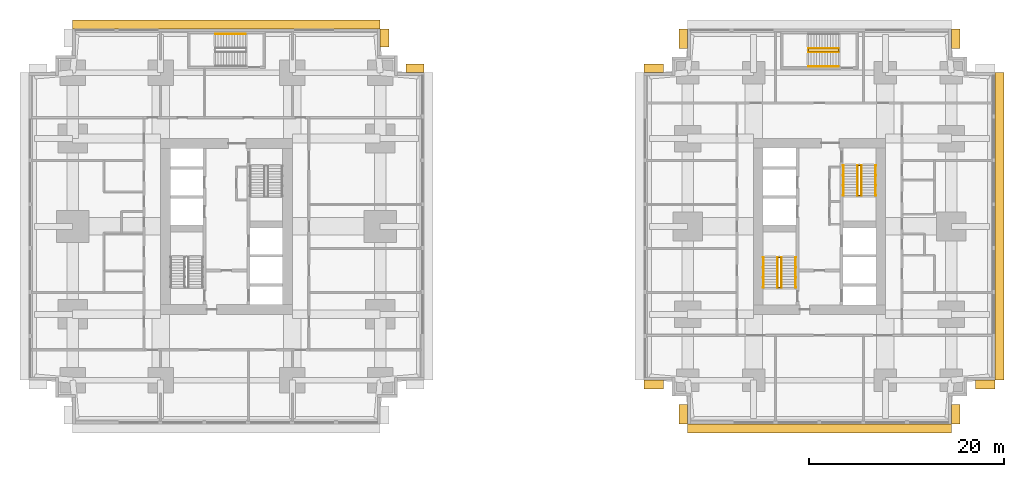
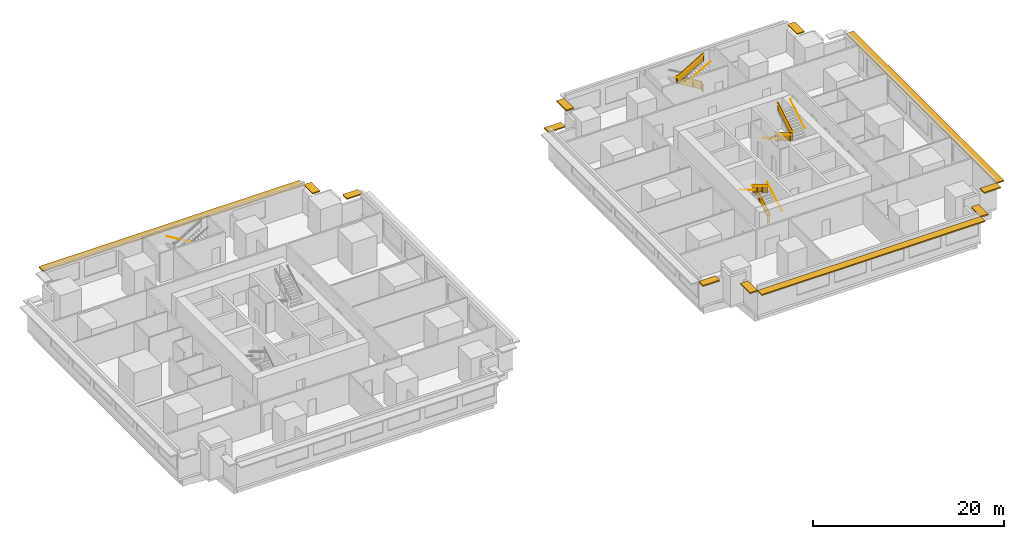
# One storey, part 10 of 11: 15 railings, 12 shading devices.
"""IFC4 building model written with IfcOpenShell, lengths in metres."""

from ifc_helpers import new_model, si_unit, direction, frame, origin, origin_2d, place, context, subcontext, project, spatial, polyline, rectangle, circle, outline, extrude, material, layer, layer_set, type_object, element, save


model = new_model("IFC4")

# Units and contexts
model_context = context("Model", 3, precision=1e-05, world=origin(), true_north=direction((0.0, 1.0)))
body_context = subcontext(model_context, "Body", "Model", "MODEL_VIEW")
ifc_project = project(units=[si_unit("LENGTHUNIT", "METRE"), si_unit("AREAUNIT", "SQUARE_METRE"), si_unit("VOLUMEUNIT", "CUBIC_METRE"), si_unit("PLANEANGLEUNIT", "RADIAN"), si_unit("MASSUNIT", "GRAM", prefix="KILO")], contexts=[model_context])

# Site, building, storey
site_placement = place(None, origin())
site = spatial("IfcSite", under=ifc_project, at=site_placement, CompositionType="ELEMENT")
building_placement = place(site_placement, origin())
building = spatial("IfcBuilding", under=site, at=building_placement, Name="Namib Vertical Campus", CompositionType="ELEMENT")
storey_placement = place(building_placement, frame((0.0, 0.0, 29.0)))
storey = spatial("IfcBuildingStorey", under=building, at=storey_placement, Name="L06", CompositionType="ELEMENT", Elevation=29.0)

# Railings
ifc_material_1 = material(Name="Steel handrail", Category="steel")
railing_type_1 = type_object("IfcRailingType", Name="Handrail 900", PredefinedType="HANDRAIL", material=ifc_material_1)
railing_1_placement = place(storey_placement, frame((78.550048828125, 14.0, 0.166748046875)))
element("IfcRailing", 1, at=railing_1_placement, inside=storey, type_object=railing_type_1, Name="Handrail HR1 B-S1 L06 1", PredefinedType="HANDRAIL", context=body_context, shape_type="SweptSolid", body=[
    extrude(circle(Radius=0.02392578125, at=origin_2d()), frame((0.0, 0.0, 0.8759765625), z_axis=(0.0, 0.859308565015, 0.511457515432), x_axis=(-1.0, 0.0, 0.0)), (0.0, 0.0, 1.0), 3.58447265625),
    extrude(circle(Radius=0.008056640625, at=origin_2d()), frame((0.0, 0.0, 0.8759765625), z_axis=(1.0, 0.0, 0.0), x_axis=(0.0, 0.0, 1.0)), (0.0, 0.0, 1.0), 0.050048828125),
    extrude(circle(Radius=0.008056640625, at=origin_2d()), frame((0.0, 1.026611328125, 1.48681640625), z_axis=(1.0, 0.0, 0.0), x_axis=(0.0, 0.0, 1.0)), (0.0, 0.0, 1.0), 0.050048828125),
    extrude(circle(Radius=0.008056640625, at=origin_2d()), frame((0.0, 2.053466796875, 2.09814453125), z_axis=(1.0, 0.0, 0.0), x_axis=(0.0, 0.0, 1.0)), (0.0, 0.0, 1.0), 0.050048828125),
    extrude(circle(Radius=0.008056640625, at=origin_2d()), frame((0.0, 3.080078125, 2.708984375), z_axis=(1.0, 0.0, 0.0), x_axis=(0.0, 0.0, 1.0)), (0.0, 0.0, 1.0), 0.050048828125),
])
railing_2_placement = place(storey_placement, frame((75.25, 17.080078125, 2.166748046875)))
element("IfcRailing", 2, at=railing_2_placement, inside=storey, type_object=railing_type_1, Name="Handrail HR1 B-S1 L06 2", PredefinedType="HANDRAIL", context=body_context, shape_type="SweptSolid", body=[
    extrude(circle(Radius=0.02392578125, at=origin_2d()), frame((0.0, 0.0, 0.8759765625), z_axis=(0.0, -0.859308565015, 0.511457515432), x_axis=(1.0, 0.0, 0.0)), (0.0, 0.0, 1.0), 3.58447265625),
    extrude(circle(Radius=0.008056640625, at=origin_2d()), frame((0.0, 0.0, 0.8759765625), z_axis=(-1.0, 0.0, 0.0), x_axis=(0.0, 0.0, 1.0)), (0.0, 0.0, 1.0), 0.050048828125),
    extrude(circle(Radius=0.008056640625, at=origin_2d()), frame((0.0, -1.026611328125, 1.48681640625), z_axis=(-1.0, 0.0, 0.0), x_axis=(0.0, 0.0, 1.0)), (0.0, 0.0, 1.0), 0.050048828125),
    extrude(circle(Radius=0.008056640625, at=origin_2d()), frame((0.0, -2.053466796875, 2.09814453125), z_axis=(-1.0, 0.0, 0.0), x_axis=(0.0, 0.0, 1.0)), (0.0, 0.0, 1.0), 0.050048828125),
    extrude(circle(Radius=0.008056640625, at=origin_2d()), frame((0.0, -3.080078125, 2.708984375), z_axis=(-1.0, 0.0, 0.0), x_axis=(0.0, 0.0, 1.0)), (0.0, 0.0, 1.0), 0.050048828125),
])
railing_3_placement = place(storey_placement, frame((77.10009765625, 14.0, 0.166748046875)))
element("IfcRailing", 3, at=railing_3_placement, inside=storey, type_object=railing_type_1, Name="Handrail HR1 B-S1 L06 1 at the well", PredefinedType="HANDRAIL", context=body_context, shape_type="SweptSolid", body=[
    extrude(circle(Radius=0.02392578125, at=origin_2d()), frame((0.0, 0.0, 0.8759765625), z_axis=(0.0, 0.859308565015, 0.511457515432), x_axis=(-1.0, 0.0, 0.0)), (0.0, 0.0, 1.0), 3.58447265625),
    extrude(circle(Radius=0.008056640625, at=origin_2d()), frame((0.0, 0.0, 0.8759765625), z_axis=(-1.0, 0.0, 0.0), x_axis=(0.0, 0.0, 1.0)), (0.0, 0.0, 1.0), 0.0400390625),
    extrude(circle(Radius=0.008056640625, at=origin_2d()), frame((0.0, 1.026611328125, 1.48681640625), z_axis=(-1.0, 0.0, 0.0), x_axis=(0.0, 0.0, 1.0)), (0.0, 0.0, 1.0), 0.0400390625),
    extrude(circle(Radius=0.008056640625, at=origin_2d()), frame((0.0, 2.053466796875, 2.09814453125), z_axis=(-1.0, 0.0, 0.0), x_axis=(0.0, 0.0, 1.0)), (0.0, 0.0, 1.0), 0.0400390625),
    extrude(circle(Radius=0.008056640625, at=origin_2d()), frame((0.0, 3.080078125, 2.708984375), z_axis=(-1.0, 0.0, 0.0), x_axis=(0.0, 0.0, 1.0)), (0.0, 0.0, 1.0), 0.0400390625),
])
railing_4_placement = place(storey_placement, frame((76.699951171875, 17.080078125, 2.166748046875)))
element("IfcRailing", 4, at=railing_4_placement, inside=storey, type_object=railing_type_1, Name="Handrail HR1 B-S1 L06 2 at the well", PredefinedType="HANDRAIL", context=body_context, shape_type="SweptSolid", body=[
    extrude(circle(Radius=0.02392578125, at=origin_2d()), frame((0.0, 0.0, 0.8759765625), z_axis=(0.0, -0.859308565015, 0.511457515432), x_axis=(1.0, 0.0, 0.0)), (0.0, 0.0, 1.0), 3.58447265625),
    extrude(circle(Radius=0.008056640625, at=origin_2d()), frame((0.0, 0.0, 0.8759765625), z_axis=(1.0, 0.0, 0.0), x_axis=(0.0, 0.0, 1.0)), (0.0, 0.0, 1.0), 0.0400390625),
    extrude(circle(Radius=0.008056640625, at=origin_2d()), frame((0.0, -1.026611328125, 1.48681640625), z_axis=(1.0, 0.0, 0.0), x_axis=(0.0, 0.0, 1.0)), (0.0, 0.0, 1.0), 0.0400390625),
    extrude(circle(Radius=0.008056640625, at=origin_2d()), frame((0.0, -2.053466796875, 2.09814453125), z_axis=(1.0, 0.0, 0.0), x_axis=(0.0, 0.0, 1.0)), (0.0, 0.0, 1.0), 0.0400390625),
    extrude(circle(Radius=0.008056640625, at=origin_2d()), frame((0.0, -3.080078125, 2.708984375), z_axis=(1.0, 0.0, 0.0), x_axis=(0.0, 0.0, 1.0)), (0.0, 0.0, 1.0), 0.0400390625),
])
railing_5_placement = place(storey_placement, frame((83.449951171875, 26.5, 0.166748046875)))
element("IfcRailing", 5, at=railing_5_placement, inside=storey, type_object=railing_type_1, Name="Handrail HR1 B-S2 L06 1", PredefinedType="HANDRAIL", context=body_context, shape_type="SweptSolid", body=[
    extrude(circle(Radius=0.02392578125, at=origin_2d()), frame((0.0, 0.0, 0.8759765625), z_axis=(0.0, -0.859308565015, 0.511457515432), x_axis=(1.0, 0.0, 0.0)), (0.0, 0.0, 1.0), 3.58447265625),
    extrude(circle(Radius=0.008056640625, at=origin_2d()), frame((0.0, 0.0, 0.8759765625), z_axis=(-1.0, 0.0, 0.0), x_axis=(0.0, 0.0, 1.0)), (0.0, 0.0, 1.0), 0.050048828125),
    extrude(circle(Radius=0.008056640625, at=origin_2d()), frame((0.0, -1.026611328125, 1.48681640625), z_axis=(-1.0, 0.0, 0.0), x_axis=(0.0, 0.0, 1.0)), (0.0, 0.0, 1.0), 0.050048828125),
    extrude(circle(Radius=0.008056640625, at=origin_2d()), frame((0.0, -2.053466796875, 2.09814453125), z_axis=(-1.0, 0.0, 0.0), x_axis=(0.0, 0.0, 1.0)), (0.0, 0.0, 1.0), 0.050048828125),
    extrude(circle(Radius=0.008056640625, at=origin_2d()), frame((0.0, -3.080078125, 2.708984375), z_axis=(-1.0, 0.0, 0.0), x_axis=(0.0, 0.0, 1.0)), (0.0, 0.0, 1.0), 0.050048828125),
])
railing_6_placement = place(storey_placement, frame((86.75, 23.419921875, 2.166748046875)))
element("IfcRailing", 6, at=railing_6_placement, inside=storey, type_object=railing_type_1, Name="Handrail HR1 B-S2 L06 2", PredefinedType="HANDRAIL", context=body_context, shape_type="SweptSolid", body=[
    extrude(circle(Radius=0.02392578125, at=origin_2d()), frame((0.0, 0.0, 0.8759765625), z_axis=(0.0, 0.859308565015, 0.511457515432), x_axis=(-1.0, 0.0, 0.0)), (0.0, 0.0, 1.0), 3.58447265625),
    extrude(circle(Radius=0.008056640625, at=origin_2d()), frame((0.0, 0.0, 0.8759765625), z_axis=(1.0, 0.0, 0.0), x_axis=(0.0, 0.0, 1.0)), (0.0, 0.0, 1.0), 0.050048828125),
    extrude(circle(Radius=0.008056640625, at=origin_2d()), frame((0.0, 1.026611328125, 1.48681640625), z_axis=(1.0, 0.0, 0.0), x_axis=(0.0, 0.0, 1.0)), (0.0, 0.0, 1.0), 0.050048828125),
    extrude(circle(Radius=0.008056640625, at=origin_2d()), frame((0.0, 2.053466796875, 2.09814453125), z_axis=(1.0, 0.0, 0.0), x_axis=(0.0, 0.0, 1.0)), (0.0, 0.0, 1.0), 0.050048828125),
    extrude(circle(Radius=0.008056640625, at=origin_2d()), frame((0.0, 3.080078125, 2.708984375), z_axis=(1.0, 0.0, 0.0), x_axis=(0.0, 0.0, 1.0)), (0.0, 0.0, 1.0), 0.050048828125),
])
railing_7_placement = place(storey_placement, frame((84.89990234375, 26.5, 0.166748046875)))
element("IfcRailing", 7, at=railing_7_placement, inside=storey, type_object=railing_type_1, Name="Handrail HR1 B-S2 L06 1 at the well", PredefinedType="HANDRAIL", context=body_context, shape_type="SweptSolid", body=[
    extrude(circle(Radius=0.02392578125, at=origin_2d()), frame((0.0, 0.0, 0.8759765625), z_axis=(0.0, -0.859308565015, 0.511457515432), x_axis=(1.0, 0.0, 0.0)), (0.0, 0.0, 1.0), 3.58447265625),
    extrude(circle(Radius=0.008056640625, at=origin_2d()), frame((0.0, 0.0, 0.8759765625), z_axis=(1.0, 0.0, 0.0), x_axis=(0.0, 0.0, 1.0)), (0.0, 0.0, 1.0), 0.0400390625),
    extrude(circle(Radius=0.008056640625, at=origin_2d()), frame((0.0, -1.026611328125, 1.48681640625), z_axis=(1.0, 0.0, 0.0), x_axis=(0.0, 0.0, 1.0)), (0.0, 0.0, 1.0), 0.0400390625),
    extrude(circle(Radius=0.008056640625, at=origin_2d()), frame((0.0, -2.053466796875, 2.09814453125), z_axis=(1.0, 0.0, 0.0), x_axis=(0.0, 0.0, 1.0)), (0.0, 0.0, 1.0), 0.0400390625),
    extrude(circle(Radius=0.008056640625, at=origin_2d()), frame((0.0, -3.080078125, 2.708984375), z_axis=(1.0, 0.0, 0.0), x_axis=(0.0, 0.0, 1.0)), (0.0, 0.0, 1.0), 0.0400390625),
])
railing_8_placement = place(storey_placement, frame((85.300048828125, 23.419921875, 2.166748046875)))
element("IfcRailing", 8, at=railing_8_placement, inside=storey, type_object=railing_type_1, Name="Handrail HR1 B-S2 L06 2 at the well", PredefinedType="HANDRAIL", context=body_context, shape_type="SweptSolid", body=[
    extrude(circle(Radius=0.02392578125, at=origin_2d()), frame((0.0, 0.0, 0.8759765625), z_axis=(0.0, 0.859308565015, 0.511457515432), x_axis=(-1.0, 0.0, 0.0)), (0.0, 0.0, 1.0), 3.58447265625),
    extrude(circle(Radius=0.008056640625, at=origin_2d()), frame((0.0, 0.0, 0.8759765625), z_axis=(-1.0, 0.0, 0.0), x_axis=(0.0, 0.0, 1.0)), (0.0, 0.0, 1.0), 0.0400390625),
    extrude(circle(Radius=0.008056640625, at=origin_2d()), frame((0.0, 1.026611328125, 1.48681640625), z_axis=(-1.0, 0.0, 0.0), x_axis=(0.0, 0.0, 1.0)), (0.0, 0.0, 1.0), 0.0400390625),
    extrude(circle(Radius=0.008056640625, at=origin_2d()), frame((0.0, 2.053466796875, 2.09814453125), z_axis=(-1.0, 0.0, 0.0), x_axis=(0.0, 0.0, 1.0)), (0.0, 0.0, 1.0), 0.0400390625),
    extrude(circle(Radius=0.008056640625, at=origin_2d()), frame((0.0, 3.080078125, 2.708984375), z_axis=(-1.0, 0.0, 0.0), x_axis=(0.0, 0.0, 1.0)), (0.0, 0.0, 1.0), 0.0400390625),
])
railing_9_placement = place(storey_placement, frame((22.199951171875, 39.949951171875, 0.166748046875)))
element("IfcRailing", 9, at=railing_9_placement, inside=storey, type_object=railing_type_1, Name="Handrail HR1 A-S3 L06 1", PredefinedType="HANDRAIL", context=body_context, shape_type="SweptSolid", body=[
    extrude(circle(Radius=0.02392578125, at=origin_2d()), frame((0.0, 0.0, 0.8759765625), z_axis=(-0.859290745958, 0.0, 0.51148745235), x_axis=(0.0, -1.0, 0.0)), (0.0, 0.0, 1.0), 3.584228515625),
    extrude(circle(Radius=0.008056640625, at=origin_2d()), frame((0.0, 0.0, 0.8759765625), z_axis=(0.0, 1.0, 0.0), x_axis=(0.0, 0.0, 1.0)), (0.0, 0.0, 1.0), 0.050048828125),
    extrude(circle(Radius=0.008056640625, at=origin_2d()), frame((-1.026611328125, 0.0, 1.48681640625), z_axis=(0.0, 1.0, 0.0), x_axis=(0.0, 0.0, 1.0)), (0.0, 0.0, 1.0), 0.050048828125),
    extrude(circle(Radius=0.008056640625, at=origin_2d()), frame((-2.05322265625, 0.0, 2.09814453125), z_axis=(0.0, 1.0, 0.0), x_axis=(0.0, 0.0, 1.0)), (0.0, 0.0, 1.0), 0.050048828125),
    extrude(circle(Radius=0.008056640625, at=origin_2d()), frame((-3.079833984375, 0.0, 2.708984375), z_axis=(0.0, 1.0, 0.0), x_axis=(0.0, 0.0, 1.0)), (0.0, 0.0, 1.0), 0.050048828125),
])
railing_10_placement = place(storey_placement, frame((79.8701171875, 36.64990234375, 2.166748046875)))
element("IfcRailing", 10, at=railing_10_placement, inside=storey, type_object=railing_type_1, Name="Handrail HR1 B-S3 L06 2", PredefinedType="HANDRAIL", context=body_context, shape_type="SweptSolid", body=[
    extrude(circle(Radius=0.02392578125, at=origin_2d()), frame((0.0, 0.0, 0.8759765625), z_axis=(0.859290745958, 0.0, 0.51148745235), x_axis=(0.0, 1.0, 0.0)), (0.0, 0.0, 1.0), 3.584228515625),
    extrude(circle(Radius=0.008056640625, at=origin_2d()), frame((0.0, 0.0, 0.8759765625), z_axis=(0.0, -1.0, 0.0), x_axis=(0.0, 0.0, 1.0)), (0.0, 0.0, 1.0), 0.050048828125),
    extrude(circle(Radius=0.008056640625, at=origin_2d()), frame((1.026611328125, 0.0, 1.48681640625), z_axis=(0.0, -1.0, 0.0), x_axis=(0.0, 0.0, 1.0)), (0.0, 0.0, 1.0), 0.050048828125),
    extrude(circle(Radius=0.008056640625, at=origin_2d()), frame((2.05322265625, 0.0, 2.09814453125), z_axis=(0.0, -1.0, 0.0), x_axis=(0.0, 0.0, 1.0)), (0.0, 0.0, 1.0), 0.050048828125),
    extrude(circle(Radius=0.008056640625, at=origin_2d()), frame((3.079833984375, 0.0, 2.708984375), z_axis=(0.0, -1.0, 0.0), x_axis=(0.0, 0.0, 1.0)), (0.0, 0.0, 1.0), 0.050048828125),
])
railing_11_placement = place(storey_placement, frame((82.949951171875, 38.5, 0.166748046875)))
element("IfcRailing", 11, at=railing_11_placement, inside=storey, type_object=railing_type_1, Name="Handrail HR1 B-S3 L06 1 at the well", PredefinedType="HANDRAIL", context=body_context, shape_type="SweptSolid", body=[
    extrude(circle(Radius=0.02392578125, at=origin_2d()), frame((0.0, 0.0, 0.8759765625), z_axis=(-0.859290745958, 0.0, 0.51148745235), x_axis=(0.0, -1.0, 0.0)), (0.0, 0.0, 1.0), 3.584228515625),
    extrude(circle(Radius=0.008056640625, at=origin_2d()), frame((0.0, 0.0, 0.8759765625), z_axis=(0.0, -1.0, 0.0), x_axis=(0.0, 0.0, 1.0)), (0.0, 0.0, 1.0), 0.0400390625),
    extrude(circle(Radius=0.008056640625, at=origin_2d()), frame((-1.026611328125, 0.0, 1.48681640625), z_axis=(0.0, -1.0, 0.0), x_axis=(0.0, 0.0, 1.0)), (0.0, 0.0, 1.0), 0.0400390625),
    extrude(circle(Radius=0.008056640625, at=origin_2d()), frame((-2.05322265625, 0.0, 2.09814453125), z_axis=(0.0, -1.0, 0.0), x_axis=(0.0, 0.0, 1.0)), (0.0, 0.0, 1.0), 0.0400390625),
    extrude(circle(Radius=0.008056640625, at=origin_2d()), frame((-3.079833984375, 0.0, 2.708984375), z_axis=(0.0, -1.0, 0.0), x_axis=(0.0, 0.0, 1.0)), (0.0, 0.0, 1.0), 0.0400390625),
])
railing_12_placement = place(storey_placement, frame((79.8701171875, 38.10009765625, 2.166748046875)))
element("IfcRailing", 12, at=railing_12_placement, inside=storey, type_object=railing_type_1, Name="Handrail HR1 B-S3 L06 2 at the well", PredefinedType="HANDRAIL", context=body_context, shape_type="SweptSolid", body=[
    extrude(circle(Radius=0.02392578125, at=origin_2d()), frame((0.0, 0.0, 0.8759765625), z_axis=(0.859290745958, 0.0, 0.51148745235), x_axis=(0.0, 1.0, 0.0)), (0.0, 0.0, 1.0), 3.584228515625),
    extrude(circle(Radius=0.008056640625, at=origin_2d()), frame((0.0, 0.0, 0.8759765625), z_axis=(0.0, 1.0, 0.0), x_axis=(0.0, 0.0, 1.0)), (0.0, 0.0, 1.0), 0.0400390625),
    extrude(circle(Radius=0.008056640625, at=origin_2d()), frame((1.026611328125, 0.0, 1.48681640625), z_axis=(0.0, 1.0, 0.0), x_axis=(0.0, 0.0, 1.0)), (0.0, 0.0, 1.0), 0.0400390625),
    extrude(circle(Radius=0.008056640625, at=origin_2d()), frame((2.05322265625, 0.0, 2.09814453125), z_axis=(0.0, 1.0, 0.0), x_axis=(0.0, 0.0, 1.0)), (0.0, 0.0, 1.0), 0.0400390625),
    extrude(circle(Radius=0.008056640625, at=origin_2d()), frame((3.079833984375, 0.0, 2.708984375), z_axis=(0.0, 1.0, 0.0), x_axis=(0.0, 0.0, 1.0)), (0.0, 0.0, 1.0), 0.0400390625),
])
ifc_material_2 = material(Name="Steel balustrade", Category="steel")
railing_type_2 = type_object("IfcRailingType", Name="Stair guard 1100", PredefinedType="GUARDRAIL", material=ifc_material_2)
railing_13_placement = place(storey_placement, frame((76.75, 14.0, 0.0)))
element("IfcRailing", 13, at=railing_13_placement, inside=storey, type_object=railing_type_2, Name="Stair guard GR1 B-S1 L06", PredefinedType="GUARDRAIL", context=body_context, shape_type="SweptSolid", body=[
    extrude(circle(Radius=0.02392578125, at=origin_2d()), frame((0.0, 0.0, 1.076171875), z_axis=(1.0, 0.0, 0.0), x_axis=(0.0, 1.0, 0.0)), (0.0, 0.0, 1.0), 0.300048828125),
    extrude(outline(polyline([(0.02099609375, 0.050048828125), (0.279052734375, 0.050048828125), (0.279052734375, 1.052001953125), (0.02099609375, 1.052001953125), (0.02099609375, 0.050048828125)])), frame((0.0, 0.010009765625, 0.0), z_axis=(0.0, -1.0, 0.0), x_axis=(1.0, 0.0, 0.0)), (0.0, 0.0, 1.0), 0.02001953125),
    extrude(circle(Radius=0.02392578125, at=origin_2d()), frame((0.300048828125, 0.0, 1.076171875), z_axis=(0.0, 0.0, 1.0), x_axis=(1.0, 0.0, 0.0)), (0.0, 0.0, 1.0), 0.166748046875),
    extrude(circle(Radius=0.02392578125, at=origin_2d()), frame((0.300048828125, 0.0, 1.24267578125), z_axis=(0.0, 0.859308565015, 0.511457515432), x_axis=(-1.0, 0.0, 0.0)), (0.0, 0.0, 1.0), 3.58447265625),
    extrude(outline(polyline([(0.02099609375, 0.0625), (3.05908203125, 1.870849609375), (3.05908203125, 2.872802734375), (0.02099609375, 1.064453125), (0.02099609375, 0.0625)])), frame((0.2900390625, 0.0, 0.166748046875), z_axis=(1.0, 0.0, 0.0), x_axis=(0.0, 1.0, 0.0)), (0.0, 0.0, 1.0), 0.02001953125),
    extrude(circle(Radius=0.02392578125, at=origin_2d()), frame((0.300048828125, 3.080078125, 3.076171875), z_axis=(-1.0, 0.0, 0.0), x_axis=(0.0, -1.0, 0.0)), (0.0, 0.0, 1.0), 0.300048828125),
    extrude(outline(polyline([(0.02099609375, 0.050048828125), (0.279052734375, 0.050048828125), (0.279052734375, 1.052001953125), (0.02099609375, 1.052001953125), (0.02099609375, 0.050048828125)])), frame((0.300048828125, 3.070068359375, 2.0), z_axis=(0.0, 1.0, 0.0), x_axis=(-1.0, 0.0, 0.0)), (0.0, 0.0, 1.0), 0.02001953125),
    extrude(circle(Radius=0.02392578125, at=origin_2d()), frame((0.0, 3.080078125, 3.076171875), z_axis=(0.0, 0.0, 1.0), x_axis=(1.0, 0.0, 0.0)), (0.0, 0.0, 1.0), 0.166748046875),
    extrude(circle(Radius=0.02392578125, at=origin_2d()), frame((0.0, 3.080078125, 3.24267578125), z_axis=(0.0, -0.859308565015, 0.511457515432), x_axis=(1.0, 0.0, 0.0)), (0.0, 0.0, 1.0), 3.58447265625),
    extrude(outline(polyline([(0.02099609375, 0.0625), (3.05908203125, 1.870849609375), (3.05908203125, 2.872802734375), (0.02099609375, 1.064453125), (0.02099609375, 0.0625)])), frame((0.010009765625, 3.080078125, 2.166748046875), z_axis=(-1.0, 0.0, 0.0), x_axis=(0.0, -1.0, 0.0)), (0.0, 0.0, 1.0), 0.02001953125),
    extrude(circle(Radius=0.02392578125, at=origin_2d()), frame((0.0, 0.0, 5.076171875), z_axis=(0.0, -1.0, 0.0), x_axis=(1.0, 0.0, 0.0)), (0.0, 0.0, 1.0), 0.050048828125),
    extrude(outline(polyline([(0.02099609375, 0.050048828125), (0.029052734375, 0.050048828125), (0.029052734375, 1.052001953125), (0.02099609375, 1.052001953125), (0.02099609375, 0.050048828125)])), frame((0.010009765625, 0.0, 4.0), z_axis=(-1.0, 0.0, 0.0), x_axis=(0.0, -1.0, 0.0)), (0.0, 0.0, 1.0), 0.02001953125),
    extrude(circle(Radius=0.02099609375, at=origin_2d()), origin(), (0.0, 0.0, 1.0), 1.052001953125),
    extrude(circle(Radius=0.02099609375, at=origin_2d()), frame((0.300048828125, 0.0, 0.166748046875)), (0.0, 0.0, 1.0), 1.052001953125),
    extrude(circle(Radius=0.02099609375, at=origin_2d()), frame((0.300048828125, 1.026611328125, 0.666748046875)), (0.0, 0.0, 1.0), 1.1630859375),
    extrude(circle(Radius=0.02099609375, at=origin_2d()), frame((0.300048828125, 2.053466796875, 1.33349609375)), (0.0, 0.0, 1.0), 1.107421875),
    extrude(circle(Radius=0.02099609375, at=origin_2d()), frame((0.300048828125, 3.080078125, 2.0)), (0.0, 0.0, 1.0), 1.052001953125),
    extrude(circle(Radius=0.02099609375, at=origin_2d()), frame((0.0, 3.080078125, 2.166748046875)), (0.0, 0.0, 1.0), 1.052001953125),
    extrude(circle(Radius=0.02099609375, at=origin_2d()), frame((0.0, 2.053466796875, 2.666748046875)), (0.0, 0.0, 1.0), 1.1630859375),
    extrude(circle(Radius=0.02099609375, at=origin_2d()), frame((0.0, 1.026611328125, 3.33349609375)), (0.0, 0.0, 1.0), 1.107421875),
    extrude(circle(Radius=0.02099609375, at=origin_2d()), frame((0.0, 0.0, 4.0)), (0.0, 0.0, 1.0), 1.052001953125),
    extrude(circle(Radius=0.02099609375, at=origin_2d()), frame((0.0, -0.050048828125, 4.0)), (0.0, 0.0, 1.0), 1.052001953125),
])
railing_14_placement = place(storey_placement, frame((85.25, 26.5, 0.0)))
element("IfcRailing", 14, at=railing_14_placement, inside=storey, type_object=railing_type_2, Name="Stair guard GR1 B-S2 L06", PredefinedType="GUARDRAIL", context=body_context, shape_type="SweptSolid", body=[
    extrude(circle(Radius=0.02392578125, at=origin_2d()), frame((0.0, 0.0, 1.076171875), z_axis=(-1.0, 0.0, 0.0), x_axis=(0.0, -1.0, 0.0)), (0.0, 0.0, 1.0), 0.300048828125),
    extrude(outline(polyline([(0.02099609375, 0.050048828125), (0.279052734375, 0.050048828125), (0.279052734375, 1.052001953125), (0.02099609375, 1.052001953125), (0.02099609375, 0.050048828125)])), frame((0.0, -0.010009765625, 0.0), z_axis=(0.0, 1.0, 0.0), x_axis=(-1.0, 0.0, 0.0)), (0.0, 0.0, 1.0), 0.02001953125),
    extrude(circle(Radius=0.02392578125, at=origin_2d()), frame((-0.300048828125, 0.0, 1.076171875), z_axis=(0.0, 0.0, 1.0), x_axis=(1.0, 0.0, 0.0)), (0.0, 0.0, 1.0), 0.166748046875),
    extrude(circle(Radius=0.02392578125, at=origin_2d()), frame((-0.300048828125, 0.0, 1.24267578125), z_axis=(0.0, -0.859308565015, 0.511457515432), x_axis=(1.0, 0.0, 0.0)), (0.0, 0.0, 1.0), 3.58447265625),
    extrude(outline(polyline([(0.02099609375, 0.0625), (3.05908203125, 1.870849609375), (3.05908203125, 2.872802734375), (0.02099609375, 1.064453125), (0.02099609375, 0.0625)])), frame((-0.2900390625, 0.0, 0.166748046875), z_axis=(-1.0, 0.0, 0.0), x_axis=(0.0, -1.0, 0.0)), (0.0, 0.0, 1.0), 0.02001953125),
    extrude(circle(Radius=0.02392578125, at=origin_2d()), frame((-0.300048828125, -3.080078125, 3.076171875), z_axis=(1.0, 0.0, 0.0), x_axis=(0.0, 1.0, 0.0)), (0.0, 0.0, 1.0), 0.300048828125),
    extrude(outline(polyline([(0.02099609375, 0.050048828125), (0.279052734375, 0.050048828125), (0.279052734375, 1.052001953125), (0.02099609375, 1.052001953125), (0.02099609375, 0.050048828125)])), frame((-0.300048828125, -3.070068359375, 2.0), z_axis=(0.0, -1.0, 0.0), x_axis=(1.0, 0.0, 0.0)), (0.0, 0.0, 1.0), 0.02001953125),
    extrude(circle(Radius=0.02392578125, at=origin_2d()), frame((0.0, -3.080078125, 3.076171875), z_axis=(0.0, 0.0, 1.0), x_axis=(1.0, 0.0, 0.0)), (0.0, 0.0, 1.0), 0.166748046875),
    extrude(circle(Radius=0.02392578125, at=origin_2d()), frame((0.0, -3.080078125, 3.24267578125), z_axis=(0.0, 0.859308565015, 0.511457515432), x_axis=(-1.0, 0.0, 0.0)), (0.0, 0.0, 1.0), 3.58447265625),
    extrude(outline(polyline([(0.02099609375, 0.0625), (3.05908203125, 1.870849609375), (3.05908203125, 2.872802734375), (0.02099609375, 1.064453125), (0.02099609375, 0.0625)])), frame((-0.010009765625, -3.080078125, 2.166748046875), z_axis=(1.0, 0.0, 0.0), x_axis=(0.0, 1.0, 0.0)), (0.0, 0.0, 1.0), 0.02001953125),
    extrude(circle(Radius=0.02392578125, at=origin_2d()), frame((0.0, 0.0, 5.076171875), z_axis=(0.0, 1.0, 0.0), x_axis=(-1.0, 0.0, 0.0)), (0.0, 0.0, 1.0), 0.050048828125),
    extrude(outline(polyline([(0.02099609375, 0.050048828125), (0.029052734375, 0.050048828125), (0.029052734375, 1.052001953125), (0.02099609375, 1.052001953125), (0.02099609375, 0.050048828125)])), frame((-0.010009765625, 0.0, 4.0), z_axis=(1.0, 0.0, 0.0), x_axis=(0.0, 1.0, 0.0)), (0.0, 0.0, 1.0), 0.02001953125),
    extrude(circle(Radius=0.02099609375, at=origin_2d()), origin(), (0.0, 0.0, 1.0), 1.052001953125),
    extrude(circle(Radius=0.02099609375, at=origin_2d()), frame((-0.300048828125, 0.0, 0.166748046875)), (0.0, 0.0, 1.0), 1.052001953125),
    extrude(circle(Radius=0.02099609375, at=origin_2d()), frame((-0.300048828125, -1.026611328125, 0.666748046875)), (0.0, 0.0, 1.0), 1.1630859375),
    extrude(circle(Radius=0.02099609375, at=origin_2d()), frame((-0.300048828125, -2.053466796875, 1.33349609375)), (0.0, 0.0, 1.0), 1.107421875),
    extrude(circle(Radius=0.02099609375, at=origin_2d()), frame((-0.300048828125, -3.080078125, 2.0)), (0.0, 0.0, 1.0), 1.052001953125),
    extrude(circle(Radius=0.02099609375, at=origin_2d()), frame((0.0, -3.080078125, 2.166748046875)), (0.0, 0.0, 1.0), 1.052001953125),
    extrude(circle(Radius=0.02099609375, at=origin_2d()), frame((0.0, -2.053466796875, 2.666748046875)), (0.0, 0.0, 1.0), 1.1630859375),
    extrude(circle(Radius=0.02099609375, at=origin_2d()), frame((0.0, -1.026611328125, 3.33349609375)), (0.0, 0.0, 1.0), 1.107421875),
    extrude(circle(Radius=0.02099609375, at=origin_2d()), frame((0.0, 0.0, 4.0)), (0.0, 0.0, 1.0), 1.052001953125),
    extrude(circle(Radius=0.02099609375, at=origin_2d()), frame((0.0, 0.050048828125, 4.0)), (0.0, 0.0, 1.0), 1.052001953125),
])
railing_15_placement = place(storey_placement, frame((82.949951171875, 38.14990234375, 0.0)))
element("IfcRailing", 15, at=railing_15_placement, inside=storey, type_object=railing_type_2, Name="Stair guard GR1 B-S3 L06", PredefinedType="GUARDRAIL", context=body_context, shape_type="SweptSolid", body=[
    extrude(circle(Radius=0.02392578125, at=origin_2d()), frame((0.0, 0.0, 1.076171875), z_axis=(0.0, 1.0, 0.0), x_axis=(-1.0, 0.0, 0.0)), (0.0, 0.0, 1.0), 0.300048828125),
    extrude(outline(polyline([(0.02099609375, 0.050048828125), (0.279052734375, 0.050048828125), (0.279052734375, 1.052001953125), (0.02099609375, 1.052001953125), (0.02099609375, 0.050048828125)])), frame((-0.010009765625, 0.0, 0.0), z_axis=(1.0, 0.0, 0.0), x_axis=(0.0, 1.0, 0.0)), (0.0, 0.0, 1.0), 0.02001953125),
    extrude(circle(Radius=0.02392578125, at=origin_2d()), frame((0.0, 0.300048828125, 1.076171875), z_axis=(0.0, 0.0, 1.0), x_axis=(1.0, 0.0, 0.0)), (0.0, 0.0, 1.0), 0.166748046875),
    extrude(circle(Radius=0.02392578125, at=origin_2d()), frame((0.0, 0.300048828125, 1.24267578125), z_axis=(-0.859290745958, 0.0, 0.51148745235), x_axis=(0.0, -1.0, 0.0)), (0.0, 0.0, 1.0), 3.584228515625),
    extrude(outline(polyline([(0.02099609375, 0.0625), (3.058837890625, 1.870849609375), (3.058837890625, 2.872802734375), (0.02099609375, 1.064453125), (0.02099609375, 0.0625)])), frame((0.0, 0.2900390625, 0.166748046875), z_axis=(0.0, 1.0, 0.0), x_axis=(-1.0, 0.0, 0.0)), (0.0, 0.0, 1.0), 0.02001953125),
    extrude(circle(Radius=0.02392578125, at=origin_2d()), frame((-3.079833984375, 0.300048828125, 3.076171875), z_axis=(0.0, -1.0, 0.0), x_axis=(1.0, 0.0, 0.0)), (0.0, 0.0, 1.0), 0.300048828125),
    extrude(outline(polyline([(0.02099609375, 0.050048828125), (0.279052734375, 0.050048828125), (0.279052734375, 1.052001953125), (0.02099609375, 1.052001953125), (0.02099609375, 0.050048828125)])), frame((-3.06982421875, 0.300048828125, 2.0), z_axis=(-1.0, 0.0, 0.0), x_axis=(0.0, -1.0, 0.0)), (0.0, 0.0, 1.0), 0.02001953125),
    extrude(circle(Radius=0.02392578125, at=origin_2d()), frame((-3.079833984375, 0.0, 3.076171875), z_axis=(0.0, 0.0, 1.0), x_axis=(1.0, 0.0, 0.0)), (0.0, 0.0, 1.0), 0.166748046875),
    extrude(circle(Radius=0.02392578125, at=origin_2d()), frame((-3.079833984375, 0.0, 3.24267578125), z_axis=(0.859290745958, 0.0, 0.51148745235), x_axis=(0.0, 1.0, 0.0)), (0.0, 0.0, 1.0), 3.584228515625),
    extrude(outline(polyline([(0.02099609375, 0.0625), (3.058837890625, 1.870849609375), (3.058837890625, 2.872802734375), (0.02099609375, 1.064453125), (0.02099609375, 0.0625)])), frame((-3.079833984375, 0.010009765625, 2.166748046875), z_axis=(0.0, -1.0, 0.0), x_axis=(1.0, 0.0, 0.0)), (0.0, 0.0, 1.0), 0.02001953125),
    extrude(circle(Radius=0.02392578125, at=origin_2d()), frame((0.0, 0.0, 5.076171875), z_axis=(1.0, 0.0, 0.0), x_axis=(0.0, 1.0, 0.0)), (0.0, 0.0, 1.0), 0.050048828125),
    extrude(outline(polyline([(0.02099609375, 0.050048828125), (0.029052734375, 0.050048828125), (0.029052734375, 1.052001953125), (0.02099609375, 1.052001953125), (0.02099609375, 0.050048828125)])), frame((0.0, 0.010009765625, 4.0), z_axis=(0.0, -1.0, 0.0), x_axis=(1.0, 0.0, 0.0)), (0.0, 0.0, 1.0), 0.02001953125),
    extrude(circle(Radius=0.02099609375, at=origin_2d()), origin(), (0.0, 0.0, 1.0), 1.052001953125),
    extrude(circle(Radius=0.02099609375, at=origin_2d()), frame((0.0, 0.300048828125, 0.166748046875)), (0.0, 0.0, 1.0), 1.052001953125),
    extrude(circle(Radius=0.02099609375, at=origin_2d()), frame((-1.026611328125, 0.300048828125, 0.666748046875)), (0.0, 0.0, 1.0), 1.1630859375),
    extrude(circle(Radius=0.02099609375, at=origin_2d()), frame((-2.05322265625, 0.300048828125, 1.33349609375)), (0.0, 0.0, 1.0), 1.107421875),
    extrude(circle(Radius=0.02099609375, at=origin_2d()), frame((-3.079833984375, 0.300048828125, 2.0)), (0.0, 0.0, 1.0), 1.052001953125),
    extrude(circle(Radius=0.02099609375, at=origin_2d()), frame((-3.079833984375, 0.0, 2.166748046875)), (0.0, 0.0, 1.0), 1.052001953125),
    extrude(circle(Radius=0.02099609375, at=origin_2d()), frame((-2.05322265625, 0.0, 2.666748046875)), (0.0, 0.0, 1.0), 1.1630859375),
    extrude(circle(Radius=0.02099609375, at=origin_2d()), frame((-1.026611328125, 0.0, 3.33349609375)), (0.0, 0.0, 1.0), 1.107421875),
    extrude(circle(Radius=0.02099609375, at=origin_2d()), frame((0.0, 0.0, 4.0)), (0.0, 0.0, 1.0), 1.052001953125),
    extrude(circle(Radius=0.02099609375, at=origin_2d()), frame((0.050048828125, 0.0, 4.0)), (0.0, 0.0, 1.0), 1.052001953125),
])

# Shading devices
ifc_material_3 = material(Name="Concrete C40/50 precast", Category="concrete")
ifc_layer = layer(ifc_material_3, 0.14990234375)
ifc_layer_set = layer_set([ifc_layer], Name="Concrete C40/50 precast")
shading_device_type = type_object("IfcShadingDeviceType", Name="Sunshade hood 900", PredefinedType="SHUTTER", material=ifc_layer_set)
for number, where, z_axis, x_axis, name in (
    (16, (39.574951171875, 36.449951171875, 3.10009765625), (0.0, 0.0, 1.0), (-1.0, 0.0, 0.0), "Sunshade SH1 L06 7"),
    (17, (36.449951171875, 39.574951171875, 3.10009765625), (0.0, 0.0, 1.0), (0.0, 1.0, 0.0), "Sunshade SH1 L06 10"),
):
    element("IfcShadingDevice", number, at=place(storey_placement, frame(where, z_axis=z_axis, x_axis=x_axis)), inside=storey, type_object=shading_device_type, Name=name, PredefinedType="SHUTTER", context=body_context, shape_type="SweptSolid", body=[
        extrude(rectangle(XDim=1.85009765625, YDim=0.89990234375, at=origin_2d()), origin(), (0.0, 0.0, 1.0), 0.14990234375),
    ])
shading_device_1_placement = place(storey_placement, frame((20.25, 40.949951171875, 3.10009765625), z_axis=(0.0, 0.0, 1.0), x_axis=(-1.0, 0.0, 0.0)))
element("IfcShadingDevice", 18, at=shading_device_1_placement, inside=storey, type_object=shading_device_type, Name="Sunshade SH1 L06 11", PredefinedType="SHUTTER", context=body_context, shape_type="SweptSolid", body=[
    extrude(rectangle(XDim=31.5, YDim=0.89990234375, at=origin_2d()), origin(), (0.0, 0.0, 1.0), 0.14990234375),
])
shading_device_2_placement = place(storey_placement, frame((81.0, -0.449951171875, 3.10009765625), z_axis=(0.0, 0.0, 1.0), x_axis=(1.0, 0.0, 0.0)))
element("IfcShadingDevice", 19, at=shading_device_2_placement, inside=storey, type_object=shading_device_type, Name="Sunshade SH1 L06 1", PredefinedType="SHUTTER", context=body_context, shape_type="SweptSolid", body=[
    extrude(rectangle(XDim=27.0, YDim=0.89990234375, at=origin_2d()), origin(), (0.0, 0.0, 1.0), 0.14990234375),
])
for number, where, z_axis, x_axis, name in (
    (20, (94.949951171875, 1.0, 3.10009765625), (0.0, 0.0, 1.0), (0.0, 1.0, 0.0), "Sunshade SH1 L06 2"),
    (21, (98.0, 4.050048828125, 3.10009765625), (0.0, 0.0, 1.0), (1.0, 0.0, 0.0), "Sunshade SH1 L06 5"),
):
    element("IfcShadingDevice", number, at=place(storey_placement, frame(where, z_axis=z_axis, x_axis=x_axis)), inside=storey, type_object=shading_device_type, Name=name, PredefinedType="SHUTTER", context=body_context, shape_type="SweptSolid", body=[
        extrude(rectangle(XDim=2.0, YDim=0.89990234375, at=origin_2d()), origin(), (0.0, 0.0, 1.0), 0.14990234375),
    ])
shading_device_3_placement = place(storey_placement, frame((99.449951171875, 20.25, 3.10009765625), z_axis=(0.0, 0.0, 1.0), x_axis=(0.0, 1.0, 0.0)))
element("IfcShadingDevice", 22, at=shading_device_3_placement, inside=storey, type_object=shading_device_type, Name="Sunshade SH1 L06 6", PredefinedType="SHUTTER", context=body_context, shape_type="SweptSolid", body=[
    extrude(rectangle(XDim=31.5, YDim=0.89990234375, at=origin_2d()), origin(), (0.0, 0.0, 1.0), 0.14990234375),
])
for number, where, z_axis, x_axis, name in (
    (23, (94.949951171875, 39.5, 3.10009765625), (0.0, 0.0, 1.0), (0.0, 1.0, 0.0), "Sunshade SH1 L06 10"),
    (24, (67.050048828125, 39.5, 3.10009765625), (0.0, 0.0, 1.0), (0.0, -1.0, 0.0), "Sunshade SH1 L06 12"),
    (25, (64.0, 36.449951171875, 3.10009765625), (0.0, 0.0, 1.0), (-1.0, 0.0, 0.0), "Sunshade SH1 L06 15"),
    (26, (64.0, 4.050048828125, 3.10009765625), (0.0, 0.0, 1.0), (1.0, 0.0, 0.0), "Sunshade SH1 L06 17"),
    (27, (67.050048828125, 1.0, 3.10009765625), (0.0, 0.0, 1.0), (0.0, -1.0, 0.0), "Sunshade SH1 L06 20"),
):
    element("IfcShadingDevice", number, at=place(storey_placement, frame(where, z_axis=z_axis, x_axis=x_axis)), inside=storey, type_object=shading_device_type, Name=name, PredefinedType="SHUTTER", context=body_context, shape_type="SweptSolid", body=[
        extrude(rectangle(XDim=2.0, YDim=0.89990234375, at=origin_2d()), origin(), (0.0, 0.0, 1.0), 0.14990234375),
    ])

save(model, "model.ifc")
